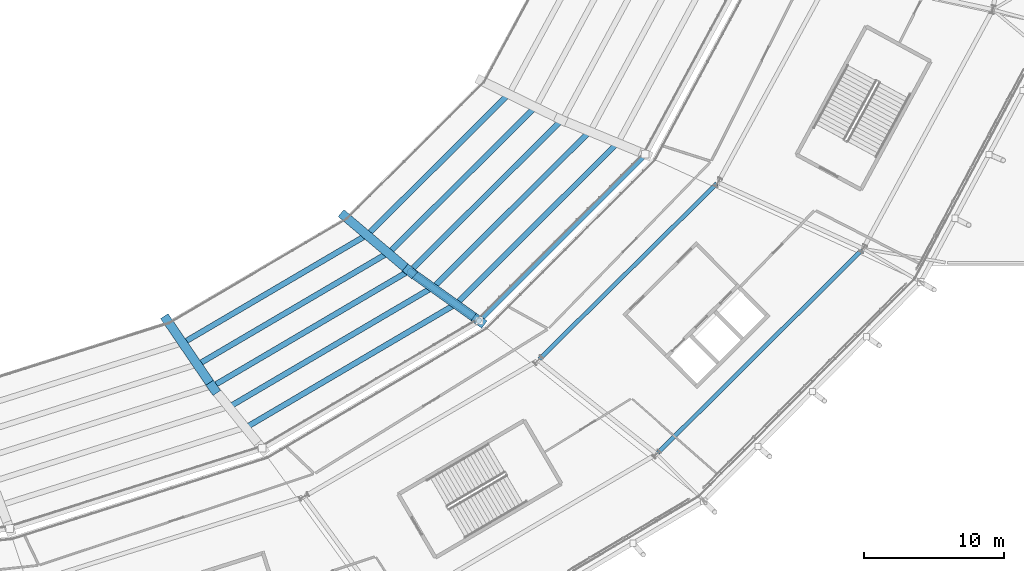
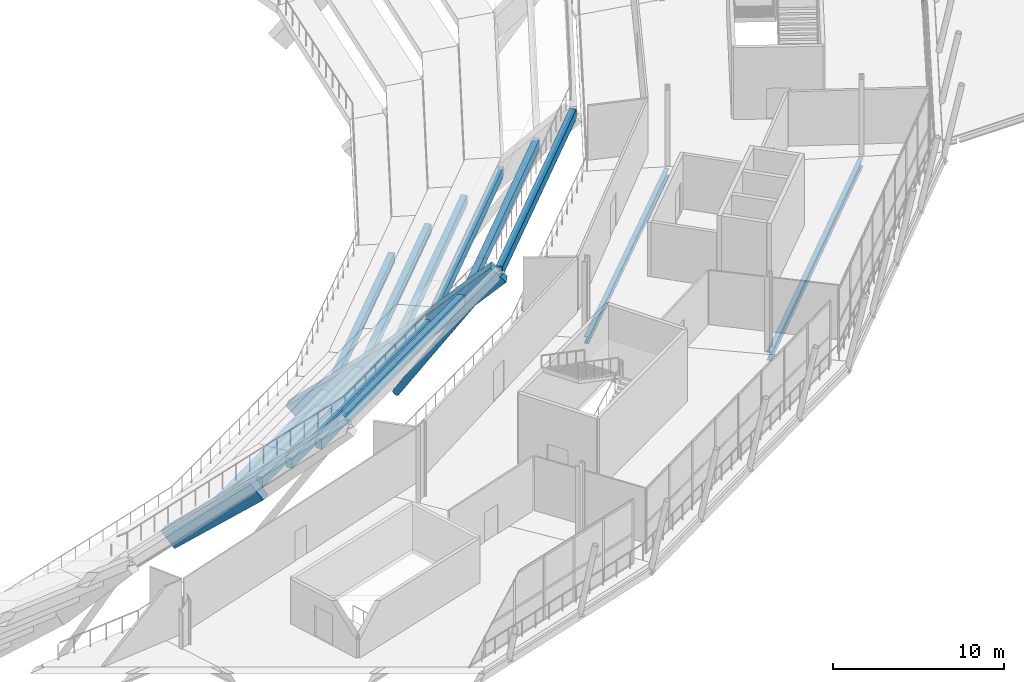
# One storey, part 39 of 126: 16 beams, 1 member.
"""IFC4 building model written with IfcOpenShell, lengths in metres."""

from ifc_helpers import new_model, si_unit, direction, frame, origin, origin_2d, place, context, subcontext, project, spatial, rectangle, hollow_circle, i_section, extrude, material, material_profile, profile_set, type_object, element, save


model = new_model("IFC4")

# Units and contexts
model_context = context("Model", 3, precision=1e-05, world=origin(), true_north=direction((0.0, 1.0)))
body_context = subcontext(model_context, "Body", "Model", "MODEL_VIEW")
ifc_project = project(units=[si_unit("LENGTHUNIT", "METRE"), si_unit("AREAUNIT", "SQUARE_METRE"), si_unit("VOLUMEUNIT", "CUBIC_METRE"), si_unit("PLANEANGLEUNIT", "RADIAN"), si_unit("MASSUNIT", "GRAM", prefix="KILO")], contexts=[model_context])

# Site, building, storey
site_placement = place(None, origin())
site = spatial("IfcSite", under=ifc_project, at=site_placement, CompositionType="ELEMENT")
building_placement = place(site_placement, origin())
building = spatial("IfcBuilding", under=site, at=building_placement, Name="Zlatoyarsky Gate Stadium", CompositionType="ELEMENT")
storey_placement = place(building_placement, frame((0.0, 0.0, 20.800048828125)))
storey = spatial("IfcBuildingStorey", under=building, at=storey_placement, Name="L04", CompositionType="ELEMENT", Elevation=20.800048828125)

# Beams
ifc_material_1 = material(Name="Concrete C40/50", Category="concrete")
ifc_material_profile_1 = material_profile(ifc_material_1, rectangle(XDim=0.39990234375, YDim=0.699951171875, at=origin_2d()), Name="RC BEAM 400X700")
ifc_profile_set_1 = profile_set([ifc_material_profile_1], Name="Concrete C40/50")
beam_type_1 = type_object("IfcBeamType", Name="CONCRETE FLOOR BEAM 400X700", PredefinedType="BEAM", material=ifc_profile_set_1)
beam_1_placement = place(storey_placement, frame((142.961181640625, 37.831787109375, -5.31005859375), z_axis=(0.862487853055, 0.506077764117, 0.0), x_axis=(-0.506077764117, 0.862487853055, 0.0)))
element("IfcBeam", 1, at=beam_1_placement, inside=storey, type_object=beam_type_1, Name="Upper bowl step tie beam 20.1", PredefinedType="BEAM", context=body_context, shape_type="SweptSolid", body=[
    extrude(rectangle(XDim=0.39990234375, YDim=0.699951171875, at=origin_2d()), origin(), (0.0, 0.0, 1.0), 15.1083984375),
])
beam_2_placement = place(storey_placement, frame((144.086181640625, 36.31640625, -3.41015625), z_axis=(0.862355376673, 0.506303470581, 0.0), x_axis=(-0.506303470581, 0.862355376673, 0.0)))
element("IfcBeam", 2, at=beam_2_placement, inside=storey, type_object=beam_type_1, Name="Upper bowl step tie beam 20.2", PredefinedType="BEAM", context=body_context, shape_type="SweptSolid", body=[
    extrude(rectangle(XDim=0.39990234375, YDim=0.699951171875, at=origin_2d()), origin(), (0.0, 0.0, 1.0), 15.65087890625),
])
beam_3_placement = place(storey_placement, frame((145.211181640625, 34.80078125, -1.510009765625), z_axis=(0.862235591154, 0.50650743859, 0.0), x_axis=(-0.50650743859, 0.862235591154, 0.0)))
element("IfcBeam", 3, at=beam_3_placement, inside=storey, type_object=beam_type_1, Name="Upper bowl step tie beam 20.3", PredefinedType="BEAM", context=body_context, shape_type="SweptSolid", body=[
    extrude(rectangle(XDim=0.39990234375, YDim=0.699951171875, at=origin_2d()), origin(), (0.0, 0.0, 1.0), 16.193603515625),
])
beam_4_placement = place(storey_placement, frame((146.336181640625, 33.285400390625, 0.389892578125), z_axis=(0.862129902882, 0.506687310435, 0.0), x_axis=(-0.506687310435, 0.862129902882, 0.0)))
element("IfcBeam", 4, at=beam_4_placement, inside=storey, type_object=beam_type_1, Name="Upper bowl step tie beam 20.4", PredefinedType="BEAM", context=body_context, shape_type="SweptSolid", body=[
    extrude(rectangle(XDim=0.39990234375, YDim=0.699951171875, at=origin_2d()), origin(), (0.0, 0.0, 1.0), 16.736083984375),
])
beam_5_placement = place(storey_placement, frame((147.461181640625, 31.769775390625, 2.2900390625), z_axis=(0.862014840694, 0.506883038209, 0.0), x_axis=(-0.506883038209, 0.862014840694, 0.0)))
element("IfcBeam", 5, at=beam_5_placement, inside=storey, type_object=beam_type_1, Name="Upper bowl step tie beam 20.5", PredefinedType="BEAM", context=body_context, shape_type="SweptSolid", body=[
    extrude(rectangle(XDim=0.39990234375, YDim=0.699951171875, at=origin_2d()), origin(), (0.0, 0.0, 1.0), 17.27880859375),
])
beam_6_placement = place(storey_placement, frame((156.14892578125, 45.59912109375, -5.31005859375), z_axis=(0.708308892536, 0.705902622714, 0.0), x_axis=(-0.705902622714, 0.708308892536, 0.0)))
element("IfcBeam", 6, at=beam_6_placement, inside=storey, type_object=beam_type_1, Name="Upper bowl step tie beam 21.1", PredefinedType="BEAM", context=body_context, shape_type="SweptSolid", body=[
    extrude(rectangle(XDim=0.39990234375, YDim=0.699951171875, at=origin_2d()), origin(), (0.0, 0.0, 1.0), 14.10302734375),
])
beam_7_placement = place(storey_placement, frame((157.73974609375, 44.36181640625, -3.41015625), z_axis=(0.708116890443, 0.706095226913, 0.0), x_axis=(-0.706095226913, 0.708116890443, 0.0)))
element("IfcBeam", 7, at=beam_7_placement, inside=storey, type_object=beam_type_1, Name="Upper bowl step tie beam 21.2", PredefinedType="BEAM", context=body_context, shape_type="SweptSolid", body=[
    extrude(rectangle(XDim=0.39990234375, YDim=0.699951171875, at=origin_2d()), origin(), (0.0, 0.0, 1.0), 14.6123046875),
])
beam_8_placement = place(storey_placement, frame((159.330810546875, 43.124267578125, -1.510009765625), z_axis=(0.707913593092, 0.706299047653, 0.0), x_axis=(-0.706299047653, 0.707913593092, 0.0)))
element("IfcBeam", 8, at=beam_8_placement, inside=storey, type_object=beam_type_1, Name="Upper bowl step tie beam 21.3", PredefinedType="BEAM", context=body_context, shape_type="SweptSolid", body=[
    extrude(rectangle(XDim=0.39990234375, YDim=0.699951171875, at=origin_2d()), origin(), (0.0, 0.0, 1.0), 15.121337890625),
])
beam_9_placement = place(storey_placement, frame((160.921875, 41.88671875, 0.389892578125), z_axis=(0.707723485707, 0.706489538336, 0.0), x_axis=(-0.706489538336, 0.707723485707, 0.0)))
element("IfcBeam", 9, at=beam_9_placement, inside=storey, type_object=beam_type_1, Name="Upper bowl step tie beam 21.4", PredefinedType="BEAM", context=body_context, shape_type="SweptSolid", body=[
    extrude(rectangle(XDim=0.39990234375, YDim=0.699951171875, at=origin_2d()), origin(), (0.0, 0.0, 1.0), 15.63037109375),
])
beam_10_placement = place(storey_placement, frame((162.5126953125, 40.6494140625, 2.2900390625), z_axis=(0.707575559386, 0.706637692003, 0.0), x_axis=(-0.706637692003, 0.707575559386, 0.0)))
element("IfcBeam", 10, at=beam_10_placement, inside=storey, type_object=beam_type_1, Name="Upper bowl step tie beam 21.5", PredefinedType="BEAM", context=body_context, shape_type="SweptSolid", body=[
    extrude(rectangle(XDim=0.39990234375, YDim=0.699951171875, at=origin_2d()), origin(), (0.0, 0.0, 1.0), 16.139404296875),
])
beam_11_placement = place(storey_placement, frame((164.103759765625, 39.412109375, 4.18994140625), z_axis=(0.707414668274, 0.706798759981, 0.0), x_axis=(-0.706798759981, 0.707414668274, 0.0)))
element("IfcBeam", 11, at=beam_11_placement, inside=storey, type_object=beam_type_1, Name="Upper bowl step tie beam 21.6", PredefinedType="BEAM", context=body_context, shape_type="SweptSolid", body=[
    extrude(rectangle(XDim=0.39990234375, YDim=0.699951171875, at=origin_2d()), origin(), (0.0, 0.0, 1.0), 16.6484375),
])
ifc_material_2 = material(Name="Precast concrete C40/50", Category="concrete")
ifc_material_profile_2 = material_profile(ifc_material_2, rectangle(XDim=0.64990234375, YDim=1.35009765625, at=origin_2d()), Name="PC RAKER 650X1350")
ifc_profile_set_2 = profile_set([ifc_material_profile_2], Name="Precast concrete C40/50")
beam_type_2 = type_object("IfcBeamType", Name="PRECAST UPPER BOWL RAKER 650X1350", PredefinedType="USERDEFINED", material=ifc_profile_set_2)
beam_12_placement = place(storey_placement, frame((141.75, 39.296875, -6.949951171875), z_axis=(0.417480208866, -0.611856886642, 0.671819488757), x_axis=(0.826035604604, 0.563617937903, 0.0)))
element("IfcBeam", 12, at=beam_12_placement, inside=storey, type_object=beam_type_2, Name="Upper bowl radial raker 20 inner", ObjectType="RAKER", PredefinedType="USERDEFINED", context=body_context, shape_type="SweptSolid", body=[
    extrude(rectangle(XDim=0.64990234375, YDim=1.35009765625, at=origin_2d()), origin(), (0.0, 0.0, 1.0), 7.784912109375),
])
beam_13_placement = place(storey_placement, frame((154.487060546875, 46.76611328125, -6.949951171875), z_axis=(0.576313103177, -0.487658968108, 0.655783453535), x_axis=(0.645949512336, 0.763380133035, 0.0)))
element("IfcBeam", 13, at=beam_13_placement, inside=storey, type_object=beam_type_2, Name="Upper bowl radial raker 21 inner", ObjectType="RAKER", PredefinedType="USERDEFINED", context=body_context, shape_type="SweptSolid", body=[
    extrude(rectangle(XDim=0.64990234375, YDim=1.35009765625, at=origin_2d()), origin(), (0.0, 0.0, 1.0), 7.97509765625),
])
beam_14_placement = place(storey_placement, frame((159.083251953125, 42.876953125, -1.719970703125), z_axis=(0.583622710391, -0.41688981414, 0.696841025473), x_axis=(0.581253380312, 0.813722623426, 0.0)))
element("IfcBeam", 14, at=beam_14_placement, inside=storey, type_object=beam_type_2, Name="Upper bowl radial raker 21 outer", ObjectType="RAKER", PredefinedType="USERDEFINED", context=body_context, shape_type="SweptSolid", body=[
    extrude(rectangle(XDim=0.64990234375, YDim=1.35009765625, at=origin_2d()), origin(), (0.0, 0.0, 1.0), 8.48095703125),
])

# Member
ifc_material_3 = material(Name="Steel S355", Category="steel")
ifc_material_profile_3 = material_profile(ifc_material_3, hollow_circle(Radius=0.228515625, WallThickness=0.02490234375, at=origin_2d()), Name="CHS 457X25")
ifc_profile_set_3 = profile_set([ifc_material_profile_3], Name="Steel S355")
member_type = type_object("IfcMemberType", Name="STEEL BACKSPAN TIE STRUT CHS 457X25", PredefinedType="STRUT", material=ifc_profile_set_3)
member_placement = place(storey_placement, frame((159.083251953125, 42.876953125, -4.85009765625), z_axis=(0.454268510955, -0.324490311515, 0.829666292968), x_axis=(0.581253380312, 0.813722623426, 0.0)))
element("IfcMember", 15, at=member_placement, inside=storey, type_object=member_type, Name="Upper tier outer raker prop strut 21", PredefinedType="STRUT", context=body_context, shape_type="SweptSolid", body=[
    extrude(hollow_circle(Radius=0.228515625, WallThickness=0.02490234375, at=origin_2d()), origin(), (0.0, 0.0, 1.0), 10.89599609375),
])

# Beams
ifc_material_profile_4 = material_profile(ifc_material_3, i_section(OverallWidth=0.300048828125, OverallDepth=0.5, WebThickness=0.014404296875, FlangeThickness=0.028076171875, FilletRadius=0.027099609375, at=origin_2d()), Name="HEB 500")
ifc_profile_set_4 = profile_set([ifc_material_profile_4], Name="Steel S355")
beam_type_3 = type_object("IfcBeamType", Name="STEEL PRIMARY GIRDER HEB 500", PredefinedType="BEAM", material=ifc_profile_set_4)
beam_15_placement = place(storey_placement, frame((168.36083984375, 36.597412109375, -0.550048828125), z_axis=(0.710840510009, 0.703353232259, 0.0), x_axis=(-0.703353232259, 0.710840510009, 0.0)))
element("IfcBeam", 16, at=beam_15_placement, inside=storey, type_object=beam_type_3, Name="Beam G-HEB500 BM-L04-CRB-21", PredefinedType="BEAM", context=body_context, shape_type="SweptSolid", body=[
    extrude(i_section(OverallWidth=0.300048828125, OverallDepth=0.5, WebThickness=0.014404296875, FlangeThickness=0.028076171875, FilletRadius=0.027099609375, at=origin_2d()), origin(), (0.0, 0.0, 1.0), 17.868896484375),
])
ifc_material_profile_5 = material_profile(ifc_material_3, i_section(OverallWidth=0.300048828125, OverallDepth=0.60009765625, WebThickness=0.015380859375, FlangeThickness=0.030029296875, FilletRadius=0.027099609375, at=origin_2d()), Name="HEB 600")
ifc_profile_set_5 = profile_set([ifc_material_profile_5], Name="Steel S355")
beam_type_4 = type_object("IfcBeamType", Name="STEEL PRIMARY GIRDER HEB 600", PredefinedType="BEAM", material=ifc_profile_set_5)
beam_16_placement = place(storey_placement, frame((176.845947265625, 29.8798828125, -0.60009765625), z_axis=(0.708899260134, 0.705309746835, 0.0), x_axis=(-0.705309746835, 0.708899260134, 0.0)))
element("IfcBeam", 17, at=beam_16_placement, inside=storey, type_object=beam_type_4, Name="Beam G-HEB600 BM-L04-CRC-21", PredefinedType="BEAM", context=body_context, shape_type="SweptSolid", body=[
    extrude(i_section(OverallWidth=0.300048828125, OverallDepth=0.60009765625, WebThickness=0.015380859375, FlangeThickness=0.030029296875, FilletRadius=0.027099609375, at=origin_2d()), origin(), (0.0, 0.0, 1.0), 20.608642578125),
])

save(model, "model.ifc")
